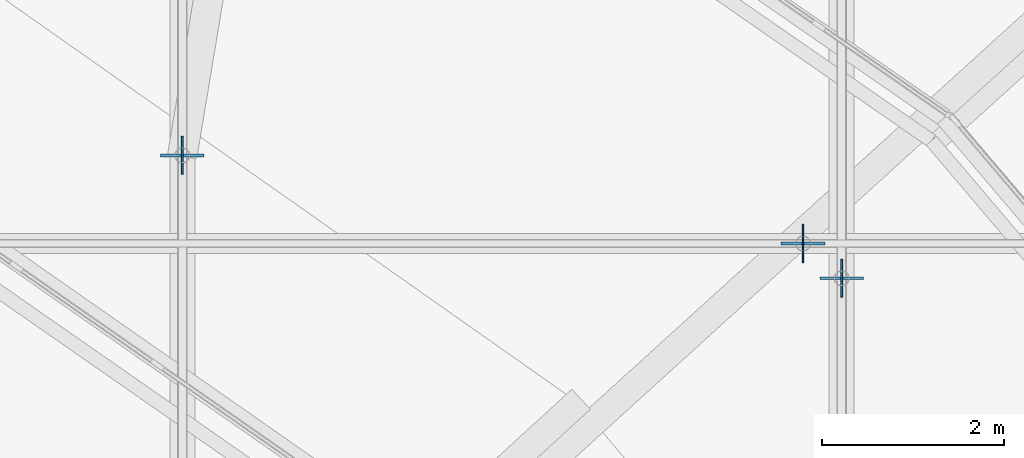
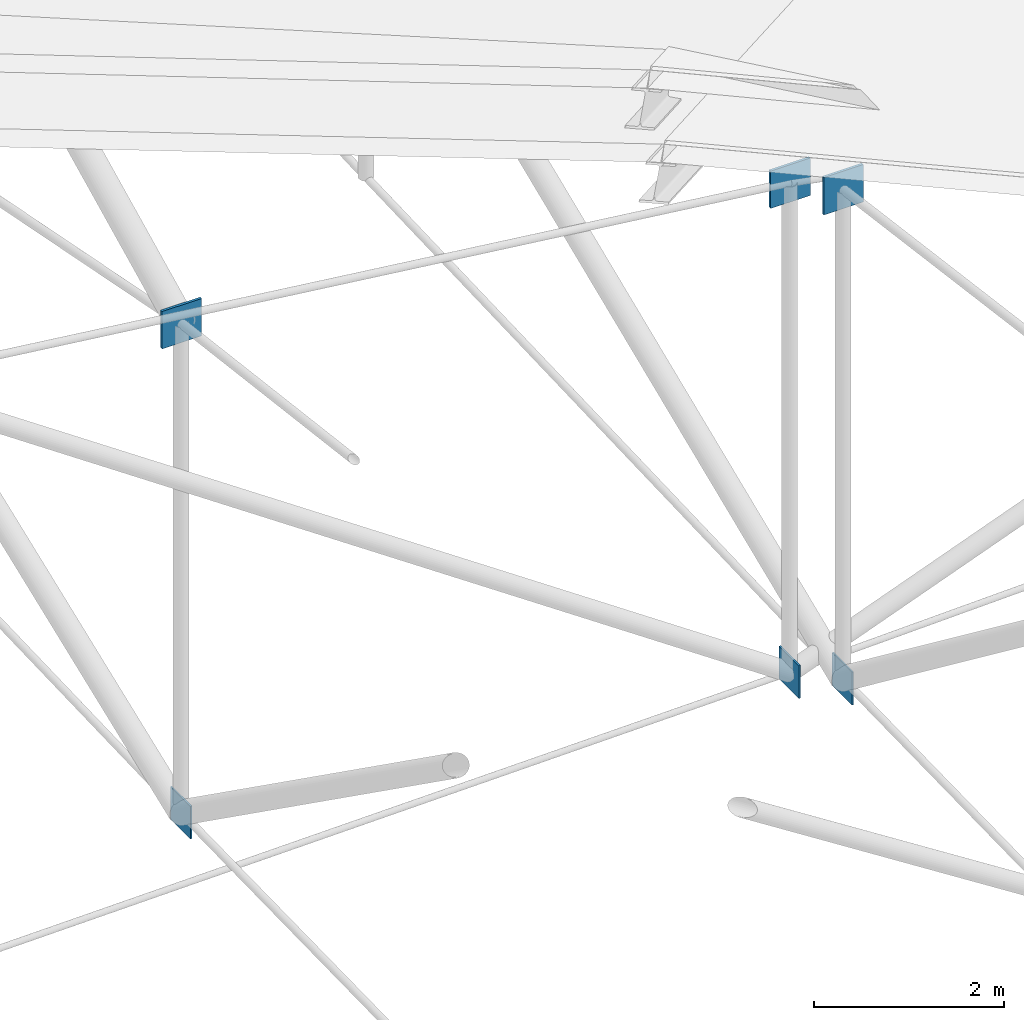
# One storey, part 168 of 173: 6 plates.
"""IFC4 building model written with IfcOpenShell, lengths in metres."""

from ifc_helpers import new_model, si_unit, direction, frame, origin, origin_2d, place, context, subcontext, project, spatial, rectangle, extrude, material, layer, layer_set, type_object, element, save


model = new_model("IFC4")

# Units and contexts
model_context = context("Model", 3, precision=1e-05, world=origin(), true_north=direction((0.0, 1.0)))
body_context = subcontext(model_context, "Body", "Model", "MODEL_VIEW")
ifc_project = project(units=[si_unit("LENGTHUNIT", "METRE"), si_unit("AREAUNIT", "SQUARE_METRE"), si_unit("VOLUMEUNIT", "CUBIC_METRE"), si_unit("PLANEANGLEUNIT", "RADIAN"), si_unit("MASSUNIT", "GRAM", prefix="KILO")], contexts=[model_context])

# Site, building, storey
site_placement = place(None, origin())
site = spatial("IfcSite", under=ifc_project, at=site_placement, CompositionType="ELEMENT")
building_placement = place(site_placement, origin())
building = spatial("IfcBuilding", under=site, at=building_placement, Name="Glasvene Arena", CompositionType="ELEMENT")
storey_placement = place(building_placement, frame((0.0, 0.0, 28.800048828125)))
storey = spatial("IfcBuildingStorey", under=building, at=storey_placement, Name="RF", CompositionType="ELEMENT", Elevation=28.800048828125)

# Plates
ifc_material = material(Name="Steel S355J2", Category="steel")
ifc_layer_1 = layer(ifc_material, 0.031982421875)
ifc_layer_set_1 = layer_set([ifc_layer_1], Name="Steel S355J2")
plate_type_1 = type_object("IfcPlateType", Name="PL-GUSSET-32", PredefinedType="USERDEFINED", material=ifc_layer_set_1)
for number, where, z_axis, x_axis, name in (
    (1, (114.699462890625, 93.047607421875, 3.927001953125), (0.0, 0.0, 1.0), (1.0, 0.0, 0.0), "Cable-node clamp gusset plate CG-NS02-06"),
    (2, (107.45068359375, 94.398681640625, 3.927001953125), (0.0, 0.0, 1.0), (1.0, 0.0, 0.0), "Cable-node clamp gusset plate CG-NS03-06"),
    (3, (114.275146484375, 93.4296875, 3.927001953125), (0.0, 0.0, 1.0), (1.0, 0.0, 0.0), "Cable-node clamp gusset plate CG-EW07-06"),
):
    element("IfcPlate", number, at=place(storey_placement, frame(where, z_axis=z_axis, x_axis=x_axis)), inside=storey, type_object=plate_type_1, Name=name, ObjectType="GUSSET PLATE", PredefinedType="USERDEFINED", context=body_context, shape_type="SweptSolid", body=[
        extrude(rectangle(XDim=0.47998046875, YDim=0.031982421875, at=origin_2d()), origin(), (0.0, 0.0, 1.0), 0.47998046875),
    ])
ifc_layer_2 = layer(ifc_material, 0.02001953125)
ifc_layer_set_2 = layer_set([ifc_layer_2], Name="Steel S355J2")
plate_type_2 = type_object("IfcPlateType", Name="PL-STIFF-20", PredefinedType="USERDEFINED", material=ifc_layer_set_2)
for number, where, z_axis, x_axis, name in (
    (4, (114.699462890625, 93.047607421875, -2.322509765625), (0.0, 0.0, 1.0), (1.0, 0.0, 0.0), "Lower cable clamp stiffener plate CS-NS02-06"),
    (5, (107.45068359375, 94.398681640625, -2.322509765625), (0.0, 0.0, 1.0), (1.0, 0.0, 0.0), "Lower cable clamp stiffener plate CS-NS03-06"),
    (6, (114.275146484375, 93.4296875, -2.322509765625), (0.0, 0.0, 1.0), (1.0, 0.0, 0.0), "Lower cable clamp stiffener plate CS-EW07-06"),
):
    element("IfcPlate", number, at=place(storey_placement, frame(where, z_axis=z_axis, x_axis=x_axis)), inside=storey, type_object=plate_type_2, Name=name, ObjectType="GUSSET PLATE", PredefinedType="USERDEFINED", context=body_context, shape_type="SweptSolid", body=[
        extrude(rectangle(XDim=0.02001953125, YDim=0.419921875, at=origin_2d()), origin(), (0.0, 0.0, 1.0), 0.419921875),
    ])

save(model, "model.ifc")
